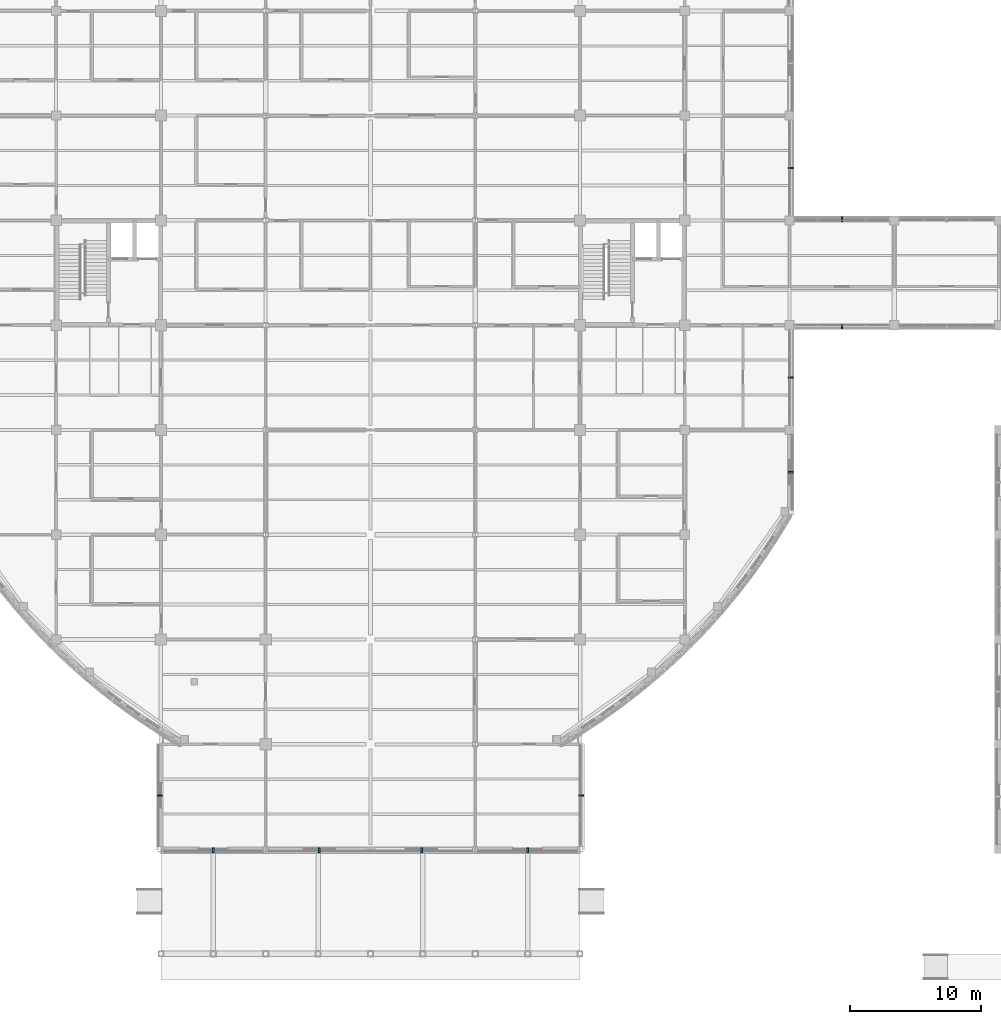
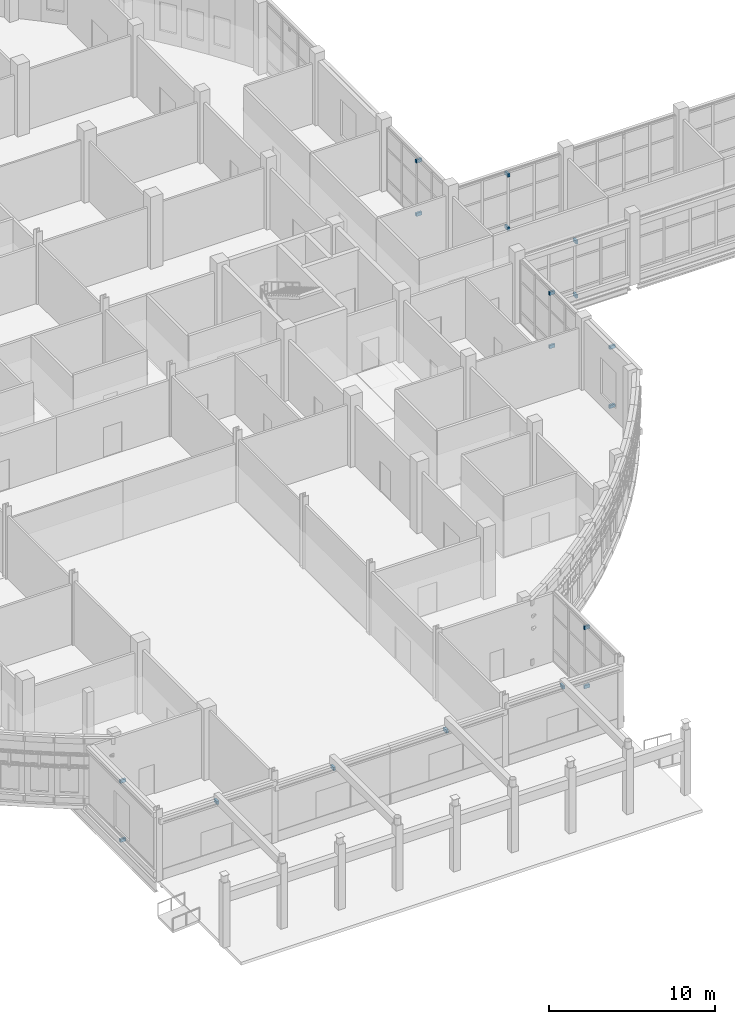
# One storey, part 87 of 105: 18 discrete accessories.
"""IFC4 building model written with IfcOpenShell, lengths in metres."""

from ifc_helpers import new_model, si_unit, derived_unit, direction, frame, origin, origin_2d, place, context, subcontext, project, spatial, rectangle, extrude, material, type_object, element, save


model = new_model("IFC4")

# Units and contexts
model_context = context("Model", 3, precision=1e-05, world=origin(), true_north=direction((0.0, 1.0)))
body_context = subcontext(model_context, "Body", "Model", "MODEL_VIEW")
ifc_project = project(units=[si_unit("LENGTHUNIT", "METRE"), si_unit("AREAUNIT", "SQUARE_METRE"), si_unit("VOLUMEUNIT", "CUBIC_METRE"), si_unit("PLANEANGLEUNIT", "RADIAN"), si_unit("MASSUNIT", "GRAM", prefix="KILO"), derived_unit("THERMALTRANSMITTANCEUNIT", [(si_unit("MASSUNIT", "GRAM", prefix="KILO"), 1), (si_unit("TIMEUNIT", "SECOND"), -3), (si_unit("THERMODYNAMICTEMPERATUREUNIT", "KELVIN"), -1)])], contexts=[model_context])

# Site, building, storey
site_placement = place(None, origin())
site = spatial("IfcSite", under=ifc_project, at=site_placement, CompositionType="ELEMENT")
building_placement = place(site_placement, origin())
building = spatial("IfcBuilding", under=site, at=building_placement, Name="Veyamyaing Civic Hall", CompositionType="ELEMENT")
storey_placement = place(building_placement, origin())
storey = spatial("IfcBuildingStorey", under=building, at=storey_placement, Name="L00", CompositionType="ELEMENT", Elevation=0.0)

# Discrete accessories
ifc_material = material(Name="Steel S355J2", Category="steel")
discrete_accessory_type = type_object("IfcDiscreteAccessoryType", Name="BK-01", PredefinedType="BRACKET", material=ifc_material)
for number, where, z_axis, x_axis, name in (
    (1, (76.0, 7.89990234375, 4.27880859375), (0.0, 0.0, 1.0), (0.0, -1.0, 0.0), "Sunshade anchor bracket BK-01 L00 S 10.2"),
    (2, (71.89990234375, 12.089111328125, 4.69482421875), (0.0, 0.0, 1.0), (-1.0, 0.0, 0.0), "Sunshade anchor bracket BK-01 L00 W 10.2"),
    (3, (71.89990234375, 12.089111328125, 0.35986328125), (0.0, 0.0, 1.0), (-1.0, 0.0, 0.0), "Lower ribbon anchor bracket BK-01 L00 W 10.2"),
    (4, (84.092041015625, 7.89990234375, 3.93408203125), (0.0, 0.0, 1.0), (0.0, -1.0, 0.0), "Sunshade anchor bracket BK-01 L00 S 11.2"),
    (5, (91.907958984375, 7.89990234375, 3.93408203125), (0.0, 0.0, 1.0), (0.0, -1.0, 0.0), "Sunshade anchor bracket BK-01 L00 S 12.2"),
    (6, (100.0, 7.89990234375, 4.3388671875), (0.0, 0.0, 1.0), (0.0, -1.0, 0.0), "Sunshade anchor bracket BK-01 L00 S 13.2"),
    (7, (104.10009765625, 12.089111328125, 4.69482421875), (0.0, 0.0, 1.0), (1.0, 0.0, 0.0), "Sunshade anchor bracket BK-01 L00 E 13.2"),
    (8, (104.10009765625, 12.089111328125, 0.35986328125), (0.0, 0.0, 1.0), (1.0, 0.0, 0.0), "Lower ribbon anchor bracket BK-01 L00 E 13.2"),
    (9, (120.10009765625, 36.759521484375, 4.69482421875), (0.0, 0.0, 1.0), (1.0, 0.0, 0.0), "Sunshade anchor bracket BK-01 L00 E 15.5"),
    (10, (120.10009765625, 36.759521484375, 0.35986328125), (0.0, 0.0, 1.0), (1.0, 0.0, 0.0), "Lower ribbon anchor bracket BK-01 L00 E 15.5"),
    (11, (120.10009765625, 44.0, 4.27001953125), (0.0, 0.0, 1.0), (1.0, 0.0, 0.0), "Sunshade anchor bracket BK-01 L00 E 15.6"),
    (12, (120.10009765625, 44.0, 0.35986328125), (0.0, 0.0, 1.0), (1.0, 0.0, 0.0), "Lower ribbon anchor bracket BK-01 L00 E 15.6"),
    (13, (120.10009765625, 60.0, 4.27392578125), (0.0, 0.0, 1.0), (1.0, 0.0, 0.0), "Sunshade anchor bracket BK-01 L00 E 15.8"),
    (14, (120.10009765625, 60.0, 0.35986328125), (0.0, 0.0, 1.0), (1.0, 0.0, 0.0), "Lower ribbon anchor bracket BK-01 L00 E 15.8"),
    (15, (124.0, 47.89990234375, 4.333984375), (0.0, 0.0, 1.0), (0.0, -1.0, 0.0), "Sunshade anchor bracket BK-01 L00 S 16.7"),
    (16, (124.0, 47.89990234375, 0.35986328125), (0.0, 0.0, 1.0), (0.0, -1.0, 0.0), "Lower ribbon anchor bracket BK-01 L00 S 16.7"),
    (17, (124.0, 56.10009765625, 4.27392578125), (0.0, 0.0, 1.0), (0.0, 1.0, 0.0), "Sunshade anchor bracket BK-01 L00 N 16.7"),
    (18, (124.0, 56.10009765625, 0.35986328125), (0.0, 0.0, 1.0), (0.0, 1.0, 0.0), "Lower ribbon anchor bracket BK-01 L00 N 16.7"),
):
    element("IfcDiscreteAccessory", number, at=place(storey_placement, frame(where, z_axis=z_axis, x_axis=x_axis)), inside=storey, type_object=discrete_accessory_type, Name=name, PredefinedType="BRACKET", context=body_context, shape_type="SweptSolid", body=[
        extrude(rectangle(XDim=0.3798828125, YDim=0.139892578125, at=origin_2d()), origin(), (0.0, 0.0, 1.0), 0.239990234375),
    ])

save(model, "model.ifc")
